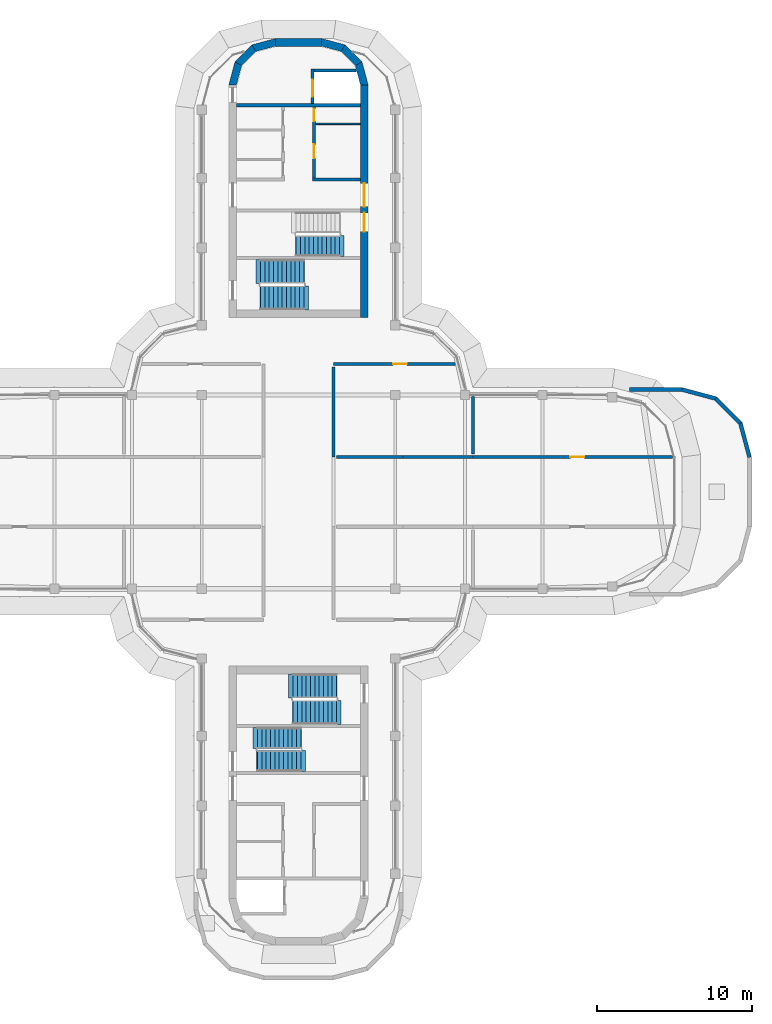
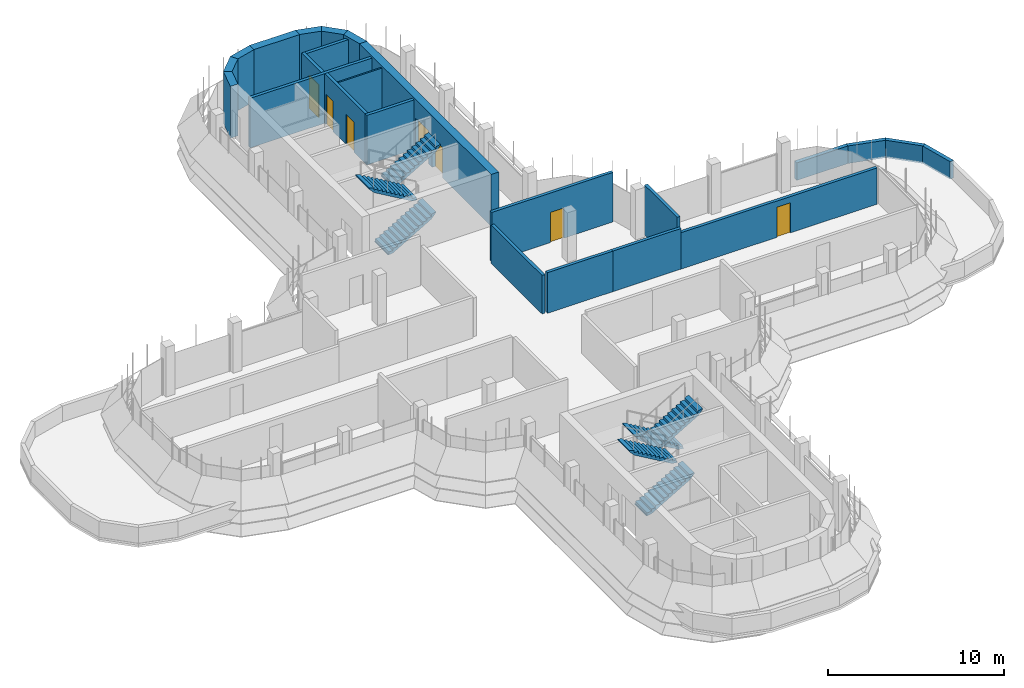
# One storey, part 15 of 20: 24 walls, 7 doors, 7 stair flights, 7 openings, 4 elements without a shape of their own.
"""IFC4 building model written with IfcOpenShell, lengths in metres."""

from ifc_helpers import new_model, si_unit, direction, frame, frame_2d, origin, place, context, subcontext, project, spatial, polyline, rectangle, outline, extrude, material, layer, layer_set, type_object, element, fill, aggregate, save


model = new_model("IFC4")

# Units and contexts
model_context = context("Model", 3, precision=1e-05, world=origin(), true_north=direction((0.0, 1.0)))
body_context = subcontext(model_context, "Body", "Model", "MODEL_VIEW")
ifc_project = project(units=[si_unit("LENGTHUNIT", "METRE"), si_unit("AREAUNIT", "SQUARE_METRE"), si_unit("VOLUMEUNIT", "CUBIC_METRE"), si_unit("PLANEANGLEUNIT", "RADIAN"), si_unit("MASSUNIT", "GRAM", prefix="KILO")], contexts=[model_context])

# Site, building, storey
site_placement = place(None, origin())
site = spatial("IfcSite", under=ifc_project, at=site_placement, CompositionType="ELEMENT")
building_placement = place(site_placement, origin())
building = spatial("IfcBuilding", under=site, at=building_placement, Name="Zarbagh Exchange Tower", CompositionType="ELEMENT")
storey_placement = place(building_placement, frame((0.0, 0.0, 291.60009765625)))
storey = spatial("IfcBuildingStorey", under=building, at=storey_placement, Name="L71", CompositionType="ELEMENT", Elevation=291.60009765625)

# Wall
ifc_material_1 = material(Name="Dense blockwork", Category="masonry")
ifc_layer_1 = layer(ifc_material_1, 0.10009765625)
ifc_layer_set_1 = layer_set([ifc_layer_1], Name="Core partition 100 mm blockwork")
wall_type_1 = type_object("IfcWallType", Name="Core partition 100 mm blockwork", PredefinedType="PARTITIONING", material=ifc_layer_set_1)
wall_1_placement = place(storey_placement, frame((1.10009765625, 23.75, 0.0), z_axis=(0.0, 0.0, 1.0), x_axis=(1.0, 0.0, 0.0)))
element("IfcWall", 1, at=wall_1_placement, inside=storey, type_object=wall_type_1, Name="North core partition wall CUT-E-460", PredefinedType="PARTITIONING", context=body_context, shape_type="SweptSolid", body=[
    extrude(rectangle(XDim=2.89990234375, YDim=0.10009765625, at=frame_2d((1.449951171875, 0.0))), origin(), (0.0, 0.0, 1.0), 3.449951171875),
])

# Wall, opening, door
ifc_material_2 = material(Name="Concrete block partition", Category="concrete")
ifc_layer_2 = layer(ifc_material_2, 0.199951171875)
ifc_layer_set_2 = layer_set([ifc_layer_2], Name="Fire-rated block partition 200 EI 60")
wall_type_2 = type_object("IfcWallType", Name="Fire-rated block partition 200 EI 60", PredefinedType="PARTITIONING", material=ifc_layer_set_2)
wall_2_placement = place(storey_placement, frame((10.238037109375, 8.25, 0.0), z_axis=(0.0, 0.0, 1.0), x_axis=(-1.0, 0.0, 0.0)))
wall_2 = element("IfcWall", 2, at=wall_2_placement, inside=storey, type_object=wall_type_2, Name="WL-L71-W001", PredefinedType="PARTITIONING", context=body_context, shape_type="SweptSolid", body=[
    extrude(rectangle(XDim=7.988037109375, YDim=0.199951171875, at=frame_2d((3.994140625, 0.0))), origin(), (0.0, 0.0, 1.0), 3.449951171875),
])
opening_1_placement = place(wall_2_placement, frame((3.239013671875, 0.0, 0.0)))
opening_1 = element("IfcOpeningElement", 3, at=opening_1_placement, cuts=wall_2, Name="Opening D01", PredefinedType="OPENING", context=body_context, shape_type="SweptSolid", body=[
    extrude(rectangle(XDim=0.89990234375, YDim=2.10009765625, at=frame_2d((0.449951171875, 1.050048828125))), frame((0.0, 0.10986328125, 0.0), z_axis=(0.0, -1.0, 0.0), x_axis=(1.0, 0.0, 0.0)), (0.0, 0.0, 1.0), 0.219970703125),
])
ifc_material_3 = material(Name="Steel door set", Category="steel")
door_type_1 = type_object("IfcDoorType", Name="Door single 900x2100 EI 60", OperationType="SINGLE_SWING_LEFT", PredefinedType="DOOR", material=ifc_material_3)
door_1_placement = place(opening_1_placement, origin())
door_1 = element("IfcDoor", 4, at=door_1_placement, inside=storey, type_object=door_type_1, Name="D01", OperationType="SINGLE_SWING_LEFT", OverallHeight=2.10009765625, OverallWidth=0.89990234375, PredefinedType="DOOR", context=body_context, shape_type="SweptSolid", body=[
    extrude(rectangle(XDim=0.89990234375, YDim=2.10009765625, at=frame_2d((0.449951171875, 1.050048828125))), frame((0.0, 0.02490234375, 0.0), z_axis=(0.0, -1.0, 0.0), x_axis=(1.0, 0.0, 0.0)), (0.0, 0.0, 1.0), 0.050048828125),
])
fill(opening_1, door_1)

# Walls
wall_3_placement = place(storey_placement, frame((2.25, 8.050048828125, 0.0), z_axis=(0.0, 0.0, 1.0), x_axis=(0.0, -1.0, 0.0)))
element("IfcWall", 5, at=wall_3_placement, inside=storey, type_object=wall_type_2, Name="WL-L71-W002", PredefinedType="PARTITIONING", context=body_context, shape_type="SweptSolid", body=[
    extrude(rectangle(XDim=5.800048828125, YDim=0.199951171875, at=frame_2d((2.89990234375, 0.0))), origin(), (0.0, 0.0, 1.0), 2.6806640625),
])
wall_4_placement = place(storey_placement, frame((11.25, 2.25, 0.0), z_axis=(0.0, 0.0, 1.0), x_axis=(-1.0, 0.0, 0.0)))
element("IfcWall", 6, at=wall_4_placement, inside=storey, type_object=wall_type_2, Name="WL-L71-W009", PredefinedType="PARTITIONING", context=body_context, shape_type="SweptSolid", body=[
    extrude(rectangle(XDim=4.5, YDim=0.199951171875, at=frame_2d((2.25, 0.0))), origin(), (0.0, 0.0, 1.0), 2.827880859375),
])
wall_5_placement = place(storey_placement, frame((11.25, 6.169921875, 0.0), z_axis=(0.0, 0.0, 1.0), x_axis=(0.0, -1.0, 0.0)))
element("IfcWall", 7, at=wall_5_placement, inside=storey, type_object=wall_type_2, Name="WL-L71-W010", PredefinedType="PARTITIONING", context=body_context, shape_type="SweptSolid", body=[
    extrude(rectangle(XDim=3.719970703125, YDim=0.199951171875, at=frame_2d((1.85986328125, 0.0))), origin(), (0.0, 0.0, 1.0), 3.449951171875),
])
wall_6_placement = place(storey_placement, frame((6.75, 2.25, 0.0), z_axis=(0.0, 0.0, 1.0), x_axis=(-1.0, 0.0, 0.0)))
element("IfcWall", 8, at=wall_6_placement, inside=storey, type_object=wall_type_2, Name="WL-L71-W011", PredefinedType="PARTITIONING", context=body_context, shape_type="SweptSolid", body=[
    extrude(rectangle(XDim=4.300048828125, YDim=0.199951171875, at=frame_2d((2.14990234375, 0.0))), origin(), (0.0, 0.0, 1.0), 2.827880859375),
])

# Wall, opening, door
wall_7_placement = place(storey_placement, frame((11.25, 2.25, 0.0), z_axis=(0.0, 0.0, 1.0), x_axis=(1.0, 0.0, 0.0)))
wall_7 = element("IfcWall", 9, at=wall_7_placement, inside=storey, type_object=wall_type_2, Name="WL-L71-W021", PredefinedType="PARTITIONING", context=body_context, shape_type="SweptSolid", body=[
    extrude(rectangle(XDim=12.889892578125, YDim=0.199951171875, at=frame_2d((6.44482421875, 0.0))), origin(), (0.0, 0.0, 1.0), 2.52978515625),
])
opening_2_placement = place(wall_7_placement, frame((6.300048828125, 0.0, 0.0)))
opening_2 = element("IfcOpeningElement", 10, at=opening_2_placement, cuts=wall_7, Name="Opening D42", PredefinedType="OPENING", context=body_context, shape_type="SweptSolid", body=[
    extrude(rectangle(XDim=0.89990234375, YDim=2.10009765625, at=frame_2d((0.449951171875, 1.050048828125))), frame((0.0, 0.10986328125, 0.0), z_axis=(0.0, -1.0, 0.0), x_axis=(1.0, 0.0, 0.0)), (0.0, 0.0, 1.0), 0.219970703125),
])
door_2_placement = place(opening_2_placement, origin())
door_2 = element("IfcDoor", 11, at=door_2_placement, inside=storey, type_object=door_type_1, Name="D05", OperationType="SINGLE_SWING_LEFT", OverallHeight=2.10009765625, OverallWidth=0.89990234375, PredefinedType="DOOR", context=body_context, shape_type="SweptSolid", body=[
    extrude(rectangle(XDim=0.89990234375, YDim=2.10009765625, at=frame_2d((0.449951171875, 1.050048828125))), frame((0.0, 0.02490234375, 0.0), z_axis=(0.0, -1.0, 0.0), x_axis=(1.0, 0.0, 0.0)), (0.0, 0.0, 1.0), 0.050048828125),
])
fill(opening_2, door_2)

# Walls
ifc_material_4 = material(Name="Concrete C40/50", Category="concrete")
ifc_layer_3 = layer(ifc_material_4, 0.25)
ifc_layer_set_3 = layer_set([ifc_layer_3], Name="Parapet wall, concrete C40/50")
wall_type_3 = type_object("IfcWallType", Name="Parapet wall, concrete C40/50", PredefinedType="PARAPET", material=ifc_layer_set_3)
wall_8_placement = place(storey_placement, origin())
element("IfcWall", 12, at=wall_8_placement, inside=storey, type_object=wall_type_3, Name="roof parapet", PredefinedType="PARAPET", context=body_context, shape_type="SweptSolid", body=[
    extrude(outline(polyline([(21.351318359375, 6.72998046875), (24.747314453125, 6.72998046875), (24.714599609375, 6.47998046875), (21.351318359375, 6.47998046875), (21.351318359375, 6.72998046875)])), origin(), (0.0, 0.0, 1.0), 1.219970703125),
])
wall_9_placement = place(storey_placement, origin())
element("IfcWall", 13, at=wall_9_placement, inside=storey, type_object=wall_type_3, Name="roof parapet", PredefinedType="PARAPET", context=body_context, shape_type="SweptSolid", body=[
    extrude(outline(polyline([(24.747314453125, 6.72998046875), (26.989501953125, 6.129150390625), (26.860107421875, 5.905029296875), (24.714599609375, 6.47998046875), (24.747314453125, 6.72998046875)])), origin(), (0.0, 0.0, 1.0), 1.219970703125),
])
wall_10_placement = place(storey_placement, origin())
element("IfcWall", 14, at=wall_10_placement, inside=storey, type_object=wall_type_3, Name="roof parapet", PredefinedType="PARAPET", context=body_context, shape_type="SweptSolid", body=[
    extrude(outline(polyline([(26.989501953125, 6.129150390625), (28.629150390625, 4.489501953125), (28.405029296875, 4.360107421875), (26.860107421875, 5.905029296875), (26.989501953125, 6.129150390625)])), origin(), (0.0, 0.0, 1.0), 1.219970703125),
])
wall_11_placement = place(storey_placement, origin())
element("IfcWall", 15, at=wall_11_placement, inside=storey, type_object=wall_type_3, Name="roof parapet", PredefinedType="PARAPET", context=body_context, shape_type="SweptSolid", body=[
    extrude(outline(polyline([(28.629150390625, 4.489501953125), (29.22998046875, 2.247314453125), (28.97998046875, 2.214599609375), (28.405029296875, 4.360107421875), (28.629150390625, 4.489501953125)])), origin(), (0.0, 0.0, 1.0), 1.219970703125),
])
ifc_layer_4 = layer(ifc_material_4, 0.5)
ifc_layer_set_4 = layer_set([ifc_layer_4], Name="RC core corner wall 500 C40/50")
wall_type_4 = type_object("IfcWallType", Name="RC core corner wall 500 C40/50", PredefinedType="SHEAR", material=ifc_layer_set_4)
wall_12_placement = place(storey_placement, origin())
element("IfcWall", 16, at=wall_12_placement, inside=storey, type_object=wall_type_4, Name="CW10 core N corner W", PredefinedType="SHEAR", context=body_context, shape_type="SweptSolid", body=[
    extrude(outline(polyline([(-4.5, 26.25), (-4.09814453125, 27.75), (-3.6650390625, 27.5), (-4.0, 26.25), (-4.5, 26.25)])), origin(), (0.0, 0.0, 1.0), 3.599853515625),
])
wall_13_placement = place(storey_placement, origin())
element("IfcWall", 17, at=wall_13_placement, inside=storey, type_object=wall_type_4, Name="CW10 core N corner W", PredefinedType="SHEAR", context=body_context, shape_type="SweptSolid", body=[
    extrude(outline(polyline([(-4.09814453125, 27.75), (-3.0, 28.84814453125), (-2.75, 28.4150390625), (-3.6650390625, 27.5), (-4.09814453125, 27.75)])), origin(), (0.0, 0.0, 1.0), 3.599853515625),
])
wall_14_placement = place(storey_placement, origin())
element("IfcWall", 18, at=wall_14_placement, inside=storey, type_object=wall_type_4, Name="CW10 core N corner W", PredefinedType="SHEAR", context=body_context, shape_type="SweptSolid", body=[
    extrude(outline(polyline([(-3.0, 28.84814453125), (-1.5, 29.25), (-1.5, 28.75), (-2.75, 28.4150390625), (-3.0, 28.84814453125)])), origin(), (0.0, 0.0, 1.0), 3.599853515625),
])
wall_15_placement = place(storey_placement, origin())
element("IfcWall", 19, at=wall_15_placement, inside=storey, type_object=wall_type_4, Name="CW10 core N corner E", PredefinedType="SHEAR", context=body_context, shape_type="SweptSolid", body=[
    extrude(outline(polyline([(4.5, 26.25), (4.09814453125, 27.75), (3.6650390625, 27.5), (4.0, 26.25), (4.5, 26.25)])), origin(), (0.0, 0.0, 1.0), 3.599853515625),
])
wall_16_placement = place(storey_placement, origin())
element("IfcWall", 20, at=wall_16_placement, inside=storey, type_object=wall_type_4, Name="CW10 core N corner E", PredefinedType="SHEAR", context=body_context, shape_type="SweptSolid", body=[
    extrude(outline(polyline([(4.09814453125, 27.75), (3.0, 28.84814453125), (2.75, 28.4150390625), (3.6650390625, 27.5), (4.09814453125, 27.75)])), origin(), (0.0, 0.0, 1.0), 3.599853515625),
])
wall_17_placement = place(storey_placement, origin())
element("IfcWall", 21, at=wall_17_placement, inside=storey, type_object=wall_type_4, Name="CW10 core N corner E", PredefinedType="SHEAR", context=body_context, shape_type="SweptSolid", body=[
    extrude(outline(polyline([(3.0, 28.84814453125), (1.5, 29.25), (1.5, 28.75), (2.75, 28.4150390625), (3.0, 28.84814453125)])), origin(), (0.0, 0.0, 1.0), 3.599853515625),
])

# Wall, openings, doors
ifc_layer_5 = layer(ifc_material_4, 0.5)
ifc_layer_set_5 = layer_set([ifc_layer_5], Name="RC core wall 500 C40/50")
wall_type_5 = type_object("IfcWallType", Name="RC core wall 500 C40/50", PredefinedType="SHEAR", material=ifc_layer_set_5)
wall_18_placement = place(storey_placement, frame((4.25, 11.25, 0.0), z_axis=(0.0, 0.0, 1.0), x_axis=(0.0, 1.0, 0.0)))
wall_18 = element("IfcWall", 22, at=wall_18_placement, inside=storey, type_object=wall_type_5, Name="CW9 core N E", PredefinedType="SHEAR", context=body_context, shape_type="SweptSolid", body=[
    extrude(rectangle(XDim=15.0, YDim=0.5, at=frame_2d((7.5, 0.0))), origin(), (0.0, 0.0, 1.0), 3.599853515625),
])
opening_3_placement = place(wall_18_placement, frame((7.14990234375, 0.0, 0.0)))
opening_3 = element("IfcOpeningElement", 23, at=opening_3_placement, cuts=wall_18, Name="Opening CD1-1500", PredefinedType="OPENING", context=body_context, shape_type="SweptSolid", body=[
    extrude(rectangle(XDim=1.5, YDim=2.300048828125, at=frame_2d((0.75, 1.14990234375))), frame((0.0, 0.260009765625, 0.0), z_axis=(0.0, -1.0, 0.0), x_axis=(1.0, 0.0, 0.0)), (0.0, 0.0, 1.0), 0.52001953125),
])
opening_4_placement = place(wall_18_placement, frame((5.550048828125, 0.0, 0.0)))
opening_4 = element("IfcOpeningElement", 24, at=opening_4_placement, cuts=wall_18, Name="Opening SD1-1200", PredefinedType="OPENING", context=body_context, shape_type="SweptSolid", body=[
    extrude(rectangle(XDim=1.199951171875, YDim=2.10009765625, at=frame_2d((0.60009765625, 1.050048828125))), frame((0.0, 0.260009765625, 0.0), z_axis=(0.0, -1.0, 0.0), x_axis=(1.0, 0.0, 0.0)), (0.0, 0.0, 1.0), 0.52001953125),
])
ifc_material_5 = material(Name="Steel", Category="steel")
door_type_2 = type_object("IfcDoorType", Name="Exit stair door 1200 x 2100", OperationType="NOTDEFINED", PredefinedType="DOOR", material=ifc_material_5)
door_3_placement = place(opening_4_placement, origin())
door_3 = element("IfcDoor", 25, at=door_3_placement, inside=storey, type_object=door_type_2, Name="North core stair door ST1", OperationType="SINGLE_SWING_RIGHT", OverallHeight=2.10009765625, OverallWidth=1.199951171875, PredefinedType="DOOR", context=body_context, shape_type="SweptSolid", body=[
    extrude(rectangle(XDim=1.199951171875, YDim=2.10009765625, at=frame_2d((0.60009765625, 1.050048828125))), frame((0.0, 0.02490234375, 0.0), z_axis=(0.0, -1.0, 0.0), x_axis=(1.0, 0.0, 0.0)), (0.0, 0.0, 1.0), 0.050048828125),
])
fill(opening_4, door_3)
door_type_3 = type_object("IfcDoorType", Name="Lift lobby double door 1500 x 2300", OperationType="NOTDEFINED", PredefinedType="DOOR", material=ifc_material_5)
door_4_placement = place(opening_3_placement, origin())
door_4 = element("IfcDoor", 26, at=door_4_placement, inside=storey, type_object=door_type_3, Name="North core lift lobby door LOBBY-E", OperationType="DOUBLE_DOOR_SINGLE_SWING", OverallHeight=2.300048828125, OverallWidth=1.5, PredefinedType="DOOR", context=body_context, shape_type="SweptSolid", body=[
    extrude(rectangle(XDim=1.5, YDim=2.300048828125, at=frame_2d((0.75, 1.14990234375))), frame((0.0, 0.02490234375, 0.0), z_axis=(0.0, -1.0, 0.0), x_axis=(1.0, 0.0, 0.0)), (0.0, 0.0, 1.0), 0.050048828125),
])
fill(opening_3, door_4)

# Walls
wall_19_placement = place(storey_placement, frame((-1.5, 29.0, 0.0), z_axis=(0.0, 0.0, 1.0), x_axis=(1.0, 0.0, 0.0)))
element("IfcWall", 27, at=wall_19_placement, inside=storey, type_object=wall_type_5, Name="CW9 core N outer end", PredefinedType="SHEAR", context=body_context, shape_type="SweptSolid", body=[
    extrude(rectangle(XDim=3.0, YDim=0.5, at=frame_2d((1.5, 0.0))), origin(), (0.0, 0.0, 1.0), 3.599853515625),
])
ifc_layer_6 = layer(ifc_material_1, 0.199951171875)
ifc_layer_set_6 = layer_set([ifc_layer_6], Name="Shaft wall 200 mm blockwork")
wall_type_6 = type_object("IfcWallType", Name="Shaft wall 200 mm blockwork", PredefinedType="PARTITIONING", material=ifc_layer_set_6)
wall_20_placement = place(storey_placement, frame((0.89990234375, 20.14990234375, 0.0), z_axis=(0.0, 0.0, 1.0), x_axis=(1.0, 0.0, 0.0)))
element("IfcWall", 28, at=wall_20_placement, inside=storey, type_object=wall_type_6, Name="North core shaft wall AB-E", PredefinedType="PARTITIONING", context=body_context, shape_type="SweptSolid", body=[
    extrude(rectangle(XDim=3.10009765625, YDim=0.199951171875, at=frame_2d((1.550048828125, 0.0))), origin(), (0.0, 0.0, 1.0), 3.449951171875),
])

# Wall, openings, doors
wall_21_placement = place(storey_placement, frame((1.0, 24.85009765625, 0.0), z_axis=(0.0, 0.0, 1.0), x_axis=(0.0, -1.0, 0.0)))
wall_21 = element("IfcWall", 29, at=wall_21_placement, inside=storey, type_object=wall_type_6, Name="North core shaft wall LW-E", PredefinedType="PARTITIONING", context=body_context, shape_type="SweptSolid", body=[
    extrude(rectangle(XDim=4.60009765625, YDim=0.199951171875, at=frame_2d((2.300048828125, 0.0))), origin(), (0.0, 0.0, 1.0), 3.449951171875),
])
opening_5_placement = place(wall_21_placement, frame((0.125, 0.0, 0.0)))
opening_5 = element("IfcOpeningElement", 30, at=opening_5_placement, cuts=wall_21, Name="Opening CD3-800", PredefinedType="OPENING", context=body_context, shape_type="SweptSolid", body=[
    extrude(rectangle(XDim=0.800048828125, YDim=2.10009765625, at=frame_2d((0.39990234375, 1.050048828125))), frame((0.0, 0.10986328125, 0.0), z_axis=(0.0, -1.0, 0.0), x_axis=(1.0, 0.0, 0.0)), (0.0, 0.0, 1.0), 0.219970703125),
])
opening_6_placement = place(wall_21_placement, frame((2.425048828125, 0.0, 0.0)))
opening_6 = element("IfcOpeningElement", 31, at=opening_6_placement, cuts=wall_21, Name="Opening CD3-900", PredefinedType="OPENING", context=body_context, shape_type="SweptSolid", body=[
    extrude(rectangle(XDim=0.89990234375, YDim=2.10009765625, at=frame_2d((0.449951171875, 1.050048828125))), frame((0.0, 0.10986328125, 0.0), z_axis=(0.0, -1.0, 0.0), x_axis=(1.0, 0.0, 0.0)), (0.0, 0.0, 1.0), 0.219970703125),
])
door_type_4 = type_object("IfcDoorType", Name="Core room door 800 x 2100", OperationType="NOTDEFINED", PredefinedType="DOOR", material=ifc_material_5)
door_5_placement = place(opening_5_placement, origin())
door_5 = element("IfcDoor", 32, at=door_5_placement, inside=storey, type_object=door_type_4, Name="North core Plant room door RD-E-0", OperationType="SINGLE_SWING_RIGHT", OverallHeight=2.10009765625, OverallWidth=0.800048828125, PredefinedType="DOOR", context=body_context, shape_type="SweptSolid", body=[
    extrude(rectangle(XDim=0.800048828125, YDim=2.10009765625, at=frame_2d((0.39990234375, 1.050048828125))), frame((0.0, 0.02490234375, 0.0), z_axis=(0.0, -1.0, 0.0), x_axis=(1.0, 0.0, 0.0)), (0.0, 0.0, 1.0), 0.050048828125),
])
fill(opening_5, door_5)
door_type_5 = type_object("IfcDoorType", Name="Core room door 900 x 2100", OperationType="NOTDEFINED", PredefinedType="DOOR", material=ifc_material_5)
door_6_placement = place(opening_6_placement, origin())
door_6 = element("IfcDoor", 33, at=door_6_placement, inside=storey, type_object=door_type_5, Name="North core Mechanical store door RD-E-1", OperationType="SINGLE_SWING_LEFT", OverallHeight=2.10009765625, OverallWidth=0.89990234375, PredefinedType="DOOR", context=body_context, shape_type="SweptSolid", body=[
    extrude(rectangle(XDim=0.89990234375, YDim=2.10009765625, at=frame_2d((0.449951171875, 1.050048828125))), frame((0.0, 0.02490234375, 0.0), z_axis=(0.0, -1.0, 0.0), x_axis=(1.0, 0.0, 0.0)), (0.0, 0.0, 1.0), 0.050048828125),
])
fill(opening_6, door_6)

# Wall
ifc_layer_7 = layer(ifc_material_4, 0.199951171875)
ifc_layer_set_7 = layer_set([ifc_layer_7], Name="Stair enclosure wall 200 mm RC C40/50")
wall_type_7 = type_object("IfcWallType", Name="Stair enclosure wall 200 mm RC C40/50", PredefinedType="SHEAR", material=ifc_layer_set_7)
wall_22_placement = place(storey_placement, frame((-4.0, 24.949951171875, 0.0), z_axis=(0.0, 0.0, 1.0), x_axis=(1.0, 0.0, 0.0)))
element("IfcWall", 34, at=wall_22_placement, inside=storey, type_object=wall_type_7, Name="North core lift shaft wall FFA", PredefinedType="SHEAR", context=body_context, shape_type="SweptSolid", body=[
    extrude(rectangle(XDim=8.0, YDim=0.199951171875, at=frame_2d((4.0, 0.0))), origin(), (0.0, 0.0, 1.0), 3.449951171875),
])

# Wall, opening, door
wall_23_placement = place(storey_placement, frame((0.89990234375, 27.300048828125, 0.0), z_axis=(0.0, 0.0, 1.0), x_axis=(0.0, -1.0, 0.0)))
wall_23 = element("IfcWall", 35, at=wall_23_placement, inside=storey, type_object=wall_type_7, Name="North core lift shaft wall FFL", PredefinedType="SHEAR", context=body_context, shape_type="SweptSolid", body=[
    extrude(rectangle(XDim=2.25, YDim=0.199951171875, at=frame_2d((1.125, 0.0))), origin(), (0.0, 0.0, 1.0), 3.449951171875),
])
opening_7_placement = place(wall_23_placement, frame((0.699951171875, 0.0, 0.0)))
opening_7 = element("IfcOpeningElement", 36, at=opening_7_placement, cuts=wall_23, Name="Opening LD-1100", PredefinedType="OPENING", context=body_context, shape_type="SweptSolid", body=[
    extrude(rectangle(XDim=1.10009765625, YDim=2.300048828125, at=frame_2d((0.550048828125, 1.14990234375))), frame((0.0, 0.10986328125, 0.0), z_axis=(0.0, -1.0, 0.0), x_axis=(1.0, 0.0, 0.0)), (0.0, 0.0, 1.0), 0.219970703125),
])
ifc_material_6 = material(Name="Stainless steel", Category="steel")
door_type_6 = type_object("IfcDoorType", Name="Lift landing door 1100 x 2300", OperationType="NOTDEFINED", PredefinedType="DOOR", material=ifc_material_6)
door_7_placement = place(opening_7_placement, origin())
door_7 = element("IfcDoor", 37, at=door_7_placement, inside=storey, type_object=door_type_6, Name="North core lift landing door LD-F", OperationType="DOUBLE_DOOR_SLIDING", OverallHeight=2.300048828125, OverallWidth=1.10009765625, PredefinedType="DOOR", context=body_context, shape_type="SweptSolid", body=[
    extrude(rectangle(XDim=1.10009765625, YDim=2.300048828125, at=frame_2d((0.550048828125, 1.14990234375))), frame((0.0, 0.02490234375, 0.0), z_axis=(0.0, -1.0, 0.0), x_axis=(1.0, 0.0, 0.0)), (0.0, 0.0, 1.0), 0.050048828125),
])
fill(opening_7, door_7)

# Wall
wall_24_placement = place(storey_placement, origin())
element("IfcWall", 38, at=wall_24_placement, inside=storey, type_object=wall_type_7, Name="North core lift shaft wall FFX", PredefinedType="SHEAR", context=body_context, shape_type="SweptSolid", body=[
    extrude(outline(polyline([(1.0, 27.10009765625), (3.754638671875, 27.10009765625), (3.700927734375, 27.300048828125), (1.0, 27.300048828125), (1.0, 27.10009765625)])), origin(), (0.0, 0.0, 1.0), 3.449951171875),
])

# Stair, stair flight
stair_type = type_object("IfcStairType", Name="Exit stair two-flight half-turn", PredefinedType="HALF_TURN_STAIR", material=ifc_material_4)
stair_1_placement = place(storey_placement, origin())
stair_1 = element("IfcStair", 39, at=stair_1_placement, inside=storey, type_object=stair_type, Name="exit stair ST1", PredefinedType="HALF_TURN_STAIR")
stair_flight_type_1 = type_object("IfcStairFlightType", Name="Stair flight 1350 mm", PredefinedType="STRAIGHT", material=ifc_material_4)
stair_flight_1_placement = place(storey_placement, frame((-0.14990234375, 15.875, 1.7998046875), z_axis=(0.0, 0.0, 1.0), x_axis=(1.0, 0.0, 0.0)))
stair_flight_1 = element("IfcStairFlight", 40, at=stair_flight_1_placement, type_object=stair_flight_type_1, Name="ST1 flight 2", NumberOfRisers=11, NumberOfTreads=10, PredefinedType="STRAIGHT", RiserHeight=0.163636364, TreadLength=0.28, context=body_context, shape_type="SweptSolid", body=[
    extrude(outline(polyline([(-0.050048828125, -0.050048828125), (-0.050048828125, 0.0), (0.0, 0.0), (0.0, 0.16357421875), (0.280029296875, 0.16357421875), (0.280029296875, 0.327392578125), (0.56005859375, 0.327392578125), (0.56005859375, 0.490966796875), (0.840087890625, 0.490966796875), (0.840087890625, 0.654541015625), (1.1201171875, 0.654541015625), (1.1201171875, 0.818115234375), (1.39990234375, 0.818115234375), (1.39990234375, 0.98193359375), (1.679931640625, 0.98193359375), (1.679931640625, 1.1455078125), (1.9599609375, 1.1455078125), (1.9599609375, 1.30908203125), (2.239990234375, 1.30908203125), (2.239990234375, 1.47265625), (2.52001953125, 1.47265625), (2.52001953125, 1.636474609375), (2.800048828125, 1.636474609375), (2.800048828125, 1.800048828125), (3.10009765625, 1.8798828125), (3.10009765625, 1.800048828125), (2.800048828125, 1.462646484375), (0.297119140625, 0.0), (-0.050048828125, -0.050048828125)])), frame((0.0, 0.675048828125, 0.0), z_axis=(0.0, -1.0, 0.0), x_axis=(1.0, 0.0, 0.0)), (0.0, 0.0, 1.0), 1.35009765625),
])
aggregate(stair_1, [stair_flight_1])

# Stair, stair flights
stair_2_placement = place(storey_placement, origin())
stair_2 = element("IfcStair", 41, at=stair_2_placement, inside=storey, type_object=stair_type, Name="exit stair ST3", PredefinedType="HALF_TURN_STAIR")
stair_flight_2_placement = place(storey_placement, frame((-2.64990234375, -17.375, 0.0), z_axis=(0.0, 0.0, 1.0), x_axis=(1.0, 0.0, 0.0)))
stair_flight_2 = element("IfcStairFlight", 42, at=stair_flight_2_placement, type_object=stair_flight_type_1, Name="ST3 flight 1", NumberOfRisers=11, NumberOfTreads=10, PredefinedType="STRAIGHT", RiserHeight=0.163636364, TreadLength=0.28, context=body_context, shape_type="SweptSolid", body=[
    extrude(outline(polyline([(-0.050048828125, -0.050048828125), (-0.050048828125, 0.0), (0.0, 0.0), (0.0, 0.16357421875), (0.280029296875, 0.16357421875), (0.280029296875, 0.327392578125), (0.56005859375, 0.327392578125), (0.56005859375, 0.490966796875), (0.840087890625, 0.490966796875), (0.840087890625, 0.654541015625), (1.1201171875, 0.654541015625), (1.1201171875, 0.818115234375), (1.39990234375, 0.818115234375), (1.39990234375, 0.98193359375), (1.679931640625, 0.98193359375), (1.679931640625, 1.1455078125), (1.9599609375, 1.1455078125), (1.9599609375, 1.30908203125), (2.239990234375, 1.30908203125), (2.239990234375, 1.47265625), (2.52001953125, 1.47265625), (2.52001953125, 1.636474609375), (2.800048828125, 1.636474609375), (2.800048828125, 1.800048828125), (3.10009765625, 1.8798828125), (3.10009765625, 1.800048828125), (2.800048828125, 1.462646484375), (0.297119140625, 0.0), (-0.050048828125, -0.050048828125)])), frame((0.0, 0.675048828125, 0.0), z_axis=(0.0, -1.0, 0.0), x_axis=(1.0, 0.0, 0.0)), (0.0, 0.0, 1.0), 1.35009765625),
])
stair_flight_3_placement = place(storey_placement, frame((0.14990234375, -15.875, 1.7998046875), z_axis=(0.0, 0.0, 1.0), x_axis=(-1.0, 0.0, 0.0)))
stair_flight_3 = element("IfcStairFlight", 43, at=stair_flight_3_placement, type_object=stair_flight_type_1, Name="ST3 flight 2", NumberOfRisers=11, NumberOfTreads=10, PredefinedType="STRAIGHT", RiserHeight=0.163636364, TreadLength=0.28, context=body_context, shape_type="SweptSolid", body=[
    extrude(outline(polyline([(-0.050048828125, -0.050048828125), (-0.050048828125, 0.0), (0.0, 0.0), (0.0, 0.16357421875), (0.280029296875, 0.16357421875), (0.280029296875, 0.327392578125), (0.56005859375, 0.327392578125), (0.56005859375, 0.490966796875), (0.840087890625, 0.490966796875), (0.840087890625, 0.654541015625), (1.1201171875, 0.654541015625), (1.1201171875, 0.818115234375), (1.39990234375, 0.818115234375), (1.39990234375, 0.98193359375), (1.679931640625, 0.98193359375), (1.679931640625, 1.1455078125), (1.9599609375, 1.1455078125), (1.9599609375, 1.30908203125), (2.239990234375, 1.30908203125), (2.239990234375, 1.47265625), (2.52001953125, 1.47265625), (2.52001953125, 1.636474609375), (2.800048828125, 1.636474609375), (2.800048828125, 1.800048828125), (3.10009765625, 1.8798828125), (3.10009765625, 1.800048828125), (2.800048828125, 1.462646484375), (0.297119140625, 0.0), (-0.050048828125, -0.050048828125)])), frame((0.0, 0.675048828125, 0.0), z_axis=(0.0, -1.0, 0.0), x_axis=(1.0, 0.0, 0.0)), (0.0, 0.0, 1.0), 1.35009765625),
])
aggregate(stair_2, [stair_flight_2, stair_flight_3])

stair_3_placement = place(storey_placement, origin())
stair_3 = element("IfcStair", 44, at=stair_3_placement, inside=storey, type_object=stair_type, Name="exit stair ST2", PredefinedType="HALF_TURN_STAIR")
stair_flight_type_2 = type_object("IfcStairFlightType", Name="Stair flight 1550 mm", PredefinedType="STRAIGHT", material=ifc_material_4)
stair_flight_4_placement = place(storey_placement, frame((-2.449951171875, 12.52490234375, 0.0), z_axis=(0.0, 0.0, 1.0), x_axis=(1.0, 0.0, 0.0)))
stair_flight_4 = element("IfcStairFlight", 45, at=stair_flight_4_placement, type_object=stair_flight_type_2, Name="ST2 flight 1", NumberOfRisers=11, NumberOfTreads=10, PredefinedType="STRAIGHT", RiserHeight=0.163636364, TreadLength=0.28, context=body_context, shape_type="SweptSolid", body=[
    extrude(outline(polyline([(-0.050048828125, -0.050048828125), (-0.050048828125, 0.0), (0.0, 0.0), (0.0, 0.16357421875), (0.280029296875, 0.16357421875), (0.280029296875, 0.327392578125), (0.56005859375, 0.327392578125), (0.56005859375, 0.490966796875), (0.840087890625, 0.490966796875), (0.840087890625, 0.654541015625), (1.1201171875, 0.654541015625), (1.1201171875, 0.818115234375), (1.39990234375, 0.818115234375), (1.39990234375, 0.98193359375), (1.679931640625, 0.98193359375), (1.679931640625, 1.1455078125), (1.9599609375, 1.1455078125), (1.9599609375, 1.30908203125), (2.239990234375, 1.30908203125), (2.239990234375, 1.47265625), (2.52001953125, 1.47265625), (2.52001953125, 1.636474609375), (2.800048828125, 1.636474609375), (2.800048828125, 1.800048828125), (3.10009765625, 1.8798828125), (3.10009765625, 1.800048828125), (2.800048828125, 1.462646484375), (0.297119140625, 0.0), (-0.050048828125, -0.050048828125)])), frame((0.0, 0.77490234375, 0.0), z_axis=(0.0, -1.0, 0.0), x_axis=(1.0, 0.0, 0.0)), (0.0, 0.0, 1.0), 1.550048828125),
])
stair_flight_5_placement = place(storey_placement, frame((0.35009765625, 14.22509765625, 1.7998046875), z_axis=(0.0, 0.0, 1.0), x_axis=(-1.0, 0.0, 0.0)))
stair_flight_5 = element("IfcStairFlight", 46, at=stair_flight_5_placement, type_object=stair_flight_type_2, Name="ST2 flight 2", NumberOfRisers=11, NumberOfTreads=10, PredefinedType="STRAIGHT", RiserHeight=0.163636364, TreadLength=0.28, context=body_context, shape_type="SweptSolid", body=[
    extrude(outline(polyline([(-0.050048828125, -0.050048828125), (-0.050048828125, 0.0), (0.0, 0.0), (0.0, 0.16357421875), (0.280029296875, 0.16357421875), (0.280029296875, 0.327392578125), (0.56005859375, 0.327392578125), (0.56005859375, 0.490966796875), (0.840087890625, 0.490966796875), (0.840087890625, 0.654541015625), (1.1201171875, 0.654541015625), (1.1201171875, 0.818115234375), (1.39990234375, 0.818115234375), (1.39990234375, 0.98193359375), (1.679931640625, 0.98193359375), (1.679931640625, 1.1455078125), (1.9599609375, 1.1455078125), (1.9599609375, 1.30908203125), (2.239990234375, 1.30908203125), (2.239990234375, 1.47265625), (2.52001953125, 1.47265625), (2.52001953125, 1.636474609375), (2.800048828125, 1.636474609375), (2.800048828125, 1.800048828125), (3.10009765625, 1.8798828125), (3.10009765625, 1.800048828125), (2.800048828125, 1.462646484375), (0.297119140625, 0.0), (-0.050048828125, -0.050048828125)])), frame((0.0, 0.77490234375, 0.0), z_axis=(0.0, -1.0, 0.0), x_axis=(1.0, 0.0, 0.0)), (0.0, 0.0, 1.0), 1.550048828125),
])
aggregate(stair_3, [stair_flight_4, stair_flight_5])

stair_4_placement = place(storey_placement, origin())
stair_4 = element("IfcStair", 47, at=stair_4_placement, inside=storey, type_object=stair_type, Name="exit stair ST4", PredefinedType="HALF_TURN_STAIR")
stair_flight_6_placement = place(storey_placement, frame((2.449951171875, -12.52490234375, 0.0), z_axis=(0.0, 0.0, 1.0), x_axis=(-1.0, 0.0, 0.0)))
stair_flight_6 = element("IfcStairFlight", 48, at=stair_flight_6_placement, type_object=stair_flight_type_2, Name="ST4 flight 1", NumberOfRisers=11, NumberOfTreads=10, PredefinedType="STRAIGHT", RiserHeight=0.163636364, TreadLength=0.28, context=body_context, shape_type="SweptSolid", body=[
    extrude(outline(polyline([(-0.050048828125, -0.050048828125), (-0.050048828125, 0.0), (0.0, 0.0), (0.0, 0.16357421875), (0.280029296875, 0.16357421875), (0.280029296875, 0.327392578125), (0.56005859375, 0.327392578125), (0.56005859375, 0.490966796875), (0.840087890625, 0.490966796875), (0.840087890625, 0.654541015625), (1.1201171875, 0.654541015625), (1.1201171875, 0.818115234375), (1.39990234375, 0.818115234375), (1.39990234375, 0.98193359375), (1.679931640625, 0.98193359375), (1.679931640625, 1.1455078125), (1.9599609375, 1.1455078125), (1.9599609375, 1.30908203125), (2.239990234375, 1.30908203125), (2.239990234375, 1.47265625), (2.52001953125, 1.47265625), (2.52001953125, 1.636474609375), (2.800048828125, 1.636474609375), (2.800048828125, 1.800048828125), (3.10009765625, 1.8798828125), (3.10009765625, 1.800048828125), (2.800048828125, 1.462646484375), (0.297119140625, 0.0), (-0.050048828125, -0.050048828125)])), frame((0.0, 0.77490234375, 0.0), z_axis=(0.0, -1.0, 0.0), x_axis=(1.0, 0.0, 0.0)), (0.0, 0.0, 1.0), 1.550048828125),
])
stair_flight_7_placement = place(storey_placement, frame((-0.35009765625, -14.22509765625, 1.7998046875), z_axis=(0.0, 0.0, 1.0), x_axis=(1.0, 0.0, 0.0)))
stair_flight_7 = element("IfcStairFlight", 49, at=stair_flight_7_placement, type_object=stair_flight_type_2, Name="ST4 flight 2", NumberOfRisers=11, NumberOfTreads=10, PredefinedType="STRAIGHT", RiserHeight=0.163636364, TreadLength=0.28, context=body_context, shape_type="SweptSolid", body=[
    extrude(outline(polyline([(-0.050048828125, -0.050048828125), (-0.050048828125, 0.0), (0.0, 0.0), (0.0, 0.16357421875), (0.280029296875, 0.16357421875), (0.280029296875, 0.327392578125), (0.56005859375, 0.327392578125), (0.56005859375, 0.490966796875), (0.840087890625, 0.490966796875), (0.840087890625, 0.654541015625), (1.1201171875, 0.654541015625), (1.1201171875, 0.818115234375), (1.39990234375, 0.818115234375), (1.39990234375, 0.98193359375), (1.679931640625, 0.98193359375), (1.679931640625, 1.1455078125), (1.9599609375, 1.1455078125), (1.9599609375, 1.30908203125), (2.239990234375, 1.30908203125), (2.239990234375, 1.47265625), (2.52001953125, 1.47265625), (2.52001953125, 1.636474609375), (2.800048828125, 1.636474609375), (2.800048828125, 1.800048828125), (3.10009765625, 1.8798828125), (3.10009765625, 1.800048828125), (2.800048828125, 1.462646484375), (0.297119140625, 0.0), (-0.050048828125, -0.050048828125)])), frame((0.0, 0.77490234375, 0.0), z_axis=(0.0, -1.0, 0.0), x_axis=(1.0, 0.0, 0.0)), (0.0, 0.0, 1.0), 1.550048828125),
])
aggregate(stair_4, [stair_flight_6, stair_flight_7])

save(model, "model.ifc")
